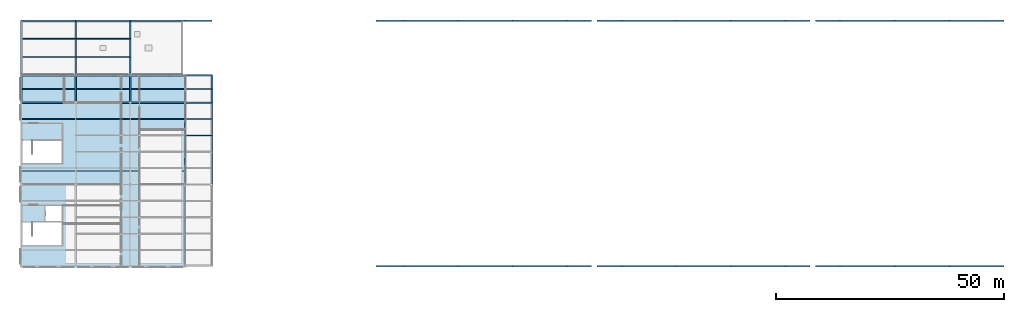
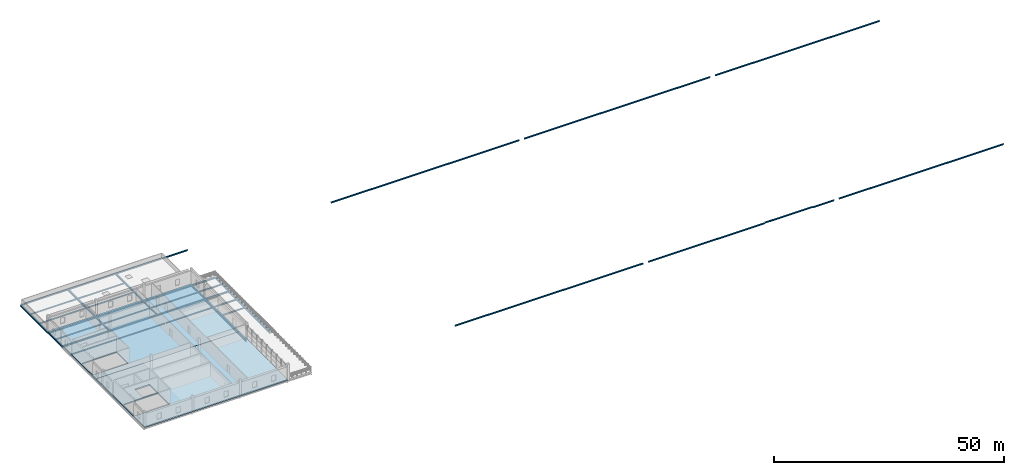
# One storey, part 7 of 11: 63 beams, 2 slabs.
"""IFC4 building model written with IfcOpenShell, lengths in metres."""

import ifcopenshell
import ifcopenshell.guid

model = None  # the IFC model being written
_history = None  # IfcOwnerHistory: only IFC2X3 demands one
_inside = {}  # id of a spatial element -> (the spatial element, [elements in it])
_under = {}  # id of a project, library or spatial element -> (it, [spatial elements below it])
_declared = {}  # id of a project -> (the project, [libraries it declares])
_typed = {}  # id of a type object -> (the type object, [elements of that type])
_made_of = {}  # id of a material, layer set ... -> (it, [elements and type objects made of it])


def new_model(schema):
    """Start an empty IFC model of exactly this schema.

    Asked for "IFC4X3", IfcOpenShell would pick the latest addendum, in which some entities
    have other attributes; the version numbers below select the first issue.
    IFC2X3 requires an IfcOwnerHistory on every rooted entity: one is made here for all.
    """
    global model, _history
    if schema == "IFC4X3":
        model = ifcopenshell.file(schema_version=(4, 3, 0, 0))
    else:
        model = ifcopenshell.file(schema=schema)
    _inside.clear()
    _under.clear()
    _declared.clear()
    _typed.clear()
    _made_of.clear()
    _history = None
    if model.schema == "IFC2X3":
        org = make("IfcOrganization", Name="unknown")
        user = make(
            "IfcPersonAndOrganization",
            ThePerson=make("IfcPerson", FamilyName="unknown"),
            TheOrganization=org,
        )
        app = make(
            "IfcApplication",
            ApplicationDeveloper=org,
            Version="unknown",
            ApplicationFullName="unknown",
            ApplicationIdentifier="unknown",
        )
        _history = make(
            "IfcOwnerHistory",
            OwningUser=user,
            OwningApplication=app,
            ChangeAction="ADDED",
            CreationDate=0,
        )
    return model


def make(cls, **values):
    """One entity of the class cls with the attributes given. An attribute that is None is left unset."""
    return model.create_entity(
        cls, **{name: value for name, value in values.items() if value is not None}
    )


def rooted(cls, **values):
    """An entity with a GlobalId (a new one), such as an element, a storey or a relation."""
    return make(cls, GlobalId=ifcopenshell.guid.new(), OwnerHistory=_history, **values)


def si_unit(unit_type, name, prefix=None):
    """IfcSIUnit, for example si_unit("LENGTHUNIT", "METRE", prefix="MILLI")."""
    return make("IfcSIUnit", UnitType=unit_type, Prefix=prefix, Name=name)


def assignment(units):
    """IfcUnitAssignment: the units of a project."""
    return None if units is None else make("IfcUnitAssignment", Units=units)


def point(xyz):
    """IfcCartesianPoint."""
    return None if xyz is None else make("IfcCartesianPoint", Coordinates=xyz)


def direction(xyz):
    """IfcDirection."""
    return None if xyz is None else make("IfcDirection", DirectionRatios=xyz)


def frame(location, z_axis=None, x_axis=None):
    """IfcAxis2Placement3D, a coordinate frame: its origin and axes. An axis left out is left unset."""
    return make(
        "IfcAxis2Placement3D",
        Location=point(location),
        Axis=direction(z_axis),
        RefDirection=direction(x_axis),
    )


def frame_2d(location, x_axis=None):
    """IfcAxis2Placement2D, a coordinate frame in the plane: its origin and x axis."""
    return make(
        "IfcAxis2Placement2D", Location=point(location), RefDirection=direction(x_axis)
    )


def origin():
    """The frame at (0, 0, 0) with its axes left unset."""
    return frame((0.0, 0.0, 0.0))


def origin_2d():
    """The frame at (0, 0) in the plane with its x axis left unset."""
    return frame_2d((0.0, 0.0))


def place(relative_to, where):
    """IfcLocalPlacement: puts the frame where relative to a parent placement (None: the world)."""
    return make(
        "IfcLocalPlacement", PlacementRelTo=relative_to, RelativePlacement=where
    )


def context(
    kind, dimensions, precision=None, world=None, true_north=None, identifier=None
):
    """IfcGeometricRepresentationContext, for example the 3D "Model" context."""
    return make(
        "IfcGeometricRepresentationContext",
        ContextIdentifier=identifier,
        ContextType=kind,
        CoordinateSpaceDimension=dimensions,
        Precision=precision,
        WorldCoordinateSystem=world,
        TrueNorth=true_north,
    )


def subcontext(parent, identifier, kind, view, scale=None):
    """IfcGeometricRepresentationSubContext, for example "Body" below "Model"."""
    return make(
        "IfcGeometricRepresentationSubContext",
        ContextIdentifier=identifier,
        ContextType=kind,
        ParentContext=parent,
        TargetScale=scale,
        TargetView=view,
    )


def project(units=None, contexts=None):
    """IfcProject with its units and contexts."""
    return rooted(
        "IfcProject",
        Name="project",
        RepresentationContexts=contexts,
        UnitsInContext=assignment(units),
    )


def spatial(cls, under=None, at=None, **own):
    """A site, building, storey or space (cls), placed at a placement, below another one or the project."""
    s = rooted(cls, ObjectPlacement=at, **own)
    if under is not None:
        _under.setdefault(under.id(), (under, []))[1].append(s)
    return s


def polyline(points):
    """IfcPolyline through the points."""
    return make("IfcPolyline", Points=[point(p) for p in points])


def profile(cls, at=None, kind="AREA", **sizes):
    """A parametric profile (cls). Its sizes go by their IFC names, for example OverallWidth=200.0."""
    return make(cls, ProfileType=kind, Position=at, **sizes)


def i_section(**sizes):
    """IfcIShapeProfileDef."""
    return profile("IfcIShapeProfileDef", **sizes)


def outline(outer, holes=None, kind="AREA"):
    """IfcArbitraryClosedProfileDef: a profile drawn as a closed curve; with holes, ...WithVoids."""
    if holes is None:
        return make("IfcArbitraryClosedProfileDef", ProfileType=kind, OuterCurve=outer)
    return make(
        "IfcArbitraryProfileDefWithVoids",
        ProfileType=kind,
        OuterCurve=outer,
        InnerCurves=holes,
    )


def extrude(swept, where, along, depth):
    """IfcExtrudedAreaSolid: the profile swept, set in the frame where, extruded along a direction by depth."""
    return make(
        "IfcExtrudedAreaSolid",
        SweptArea=swept,
        Position=where,
        ExtrudedDirection=direction(along),
        Depth=depth,
    )


def shape(context_of_items, identifier, shape_type, items):
    """IfcShapeRepresentation: the items that make up one representation, for example the "Body"."""
    return make(
        "IfcShapeRepresentation",
        ContextOfItems=context_of_items,
        RepresentationIdentifier=identifier,
        RepresentationType=shape_type,
        Items=items,
    )


def material(Name=None, Category=None):
    """IfcMaterial."""
    return make("IfcMaterial", Name=Name, Category=Category)


def layer(
    of_material, thickness, ventilated=None, Name=None, Category=None, Priority=None
):
    """IfcMaterialLayer: one layer of a wall or slab, of a material (None: an air gap)."""
    return make(
        "IfcMaterialLayer",
        Material=of_material,
        LayerThickness=thickness,
        IsVentilated=ventilated,
        Name=Name,
        Category=Category,
        Priority=Priority,
    )


def layer_set(layers, Name=None):
    """IfcMaterialLayerSet."""
    return make("IfcMaterialLayerSet", MaterialLayers=layers, LayerSetName=Name)


def material_profile(
    of_material, cross_section, Name=None, Category=None, Priority=None
):
    """IfcMaterialProfile: a cross section and its material."""
    return make(
        "IfcMaterialProfile",
        Name=Name,
        Material=of_material,
        Profile=cross_section,
        Priority=Priority,
        Category=Category,
    )


def profile_set(profiles, Name=None, composite=None):
    """IfcMaterialProfileSet."""
    return make(
        "IfcMaterialProfileSet",
        Name=Name,
        MaterialProfiles=profiles,
        CompositeProfile=composite,
    )


def made_of(thing, what):
    """Note that an element or type object is made of a material, layer set ...; save() writes the relation."""
    if what is not None:
        _made_of.setdefault(what.id(), (what, []))[1].append(thing)
    return thing


def type_object(cls, material=None, **own):
    """A type object (cls), such as IfcWallType, which elements share."""
    return made_of(rooted(cls, **own), material)


def element(
    cls,
    number,
    at=None,
    inside=None,
    cuts=None,
    type_object=None,
    material=None,
    context=None,
    identifier="Body",
    shape_type=None,
    held_by="IfcProductDefinitionShape",
    body=None,
    shapes=None,
    **own,
):
    """One element of the class cls, such as IfcWall. Its Tag is "e" and its number.

    at: its placement. inside: the storey or other place that contains it. cuts: it is an
    opening in that element (IfcRelVoidsElement). A single representation is given by context,
    identifier, shape_type and body (its items); several are given by shapes. held_by: the class
    of the entity that holds the representations. save() writes the other relations.
    """
    e = rooted(cls, Tag="e%d" % number, ObjectPlacement=at, **own)
    if body is not None:
        shapes = [shape(context, identifier, shape_type, body)]
    if shapes is not None:
        e.Representation = make(held_by, Representations=shapes)
    if inside is not None:
        _inside.setdefault(inside.id(), (inside, []))[1].append(e)
    if cuts is not None:
        rooted(
            "IfcRelVoidsElement", RelatingBuildingElement=cuts, RelatedOpeningElement=e
        )
    if type_object is not None:
        _typed.setdefault(type_object.id(), (type_object, []))[1].append(e)
    return made_of(e, material)


def aggregate(whole, parts):
    """IfcRelAggregates: a whole, such as a stair, and the parts it consists of."""
    return rooted("IfcRelAggregates", RelatingObject=whole, RelatedObjects=parts)


def save(model, path):
    """Write the relations noted so far, then the file.

    IfcRelAggregates (storeys below a building ...), IfcRelContainedInSpatialStructure (elements
    in a storey), IfcRelDefinesByType, IfcRelAssociatesMaterial and IfcRelDeclares: one each for
    every whole, place, type object, material and project.
    """
    for whole, parts in _under.values():
        aggregate(whole, parts)
    for where, things in _inside.values():
        rooted(
            "IfcRelContainedInSpatialStructure",
            RelatedElements=things,
            RelatingStructure=where,
        )
    for kind, things in _typed.values():
        rooted("IfcRelDefinesByType", RelatedObjects=things, RelatingType=kind)
    for what, things in _made_of.values():
        rooted("IfcRelAssociatesMaterial", RelatedObjects=things, RelatingMaterial=what)
    for by, libraries in _declared.values():
        rooted("IfcRelDeclares", RelatingContext=by, RelatedDefinitions=libraries)
    model.write(path)


model = new_model("IFC4")

# Units and contexts
model_context = context("Model", 3, precision=1e-05, world=origin(), true_north=direction((0.0, 1.0)))
body_context = subcontext(model_context, "Body", "Model", "MODEL_VIEW")
ifc_project = project(units=[si_unit("LENGTHUNIT", "METRE"), si_unit("AREAUNIT", "SQUARE_METRE"), si_unit("VOLUMEUNIT", "CUBIC_METRE"), si_unit("PLANEANGLEUNIT", "RADIAN"), si_unit("MASSUNIT", "GRAM", prefix="KILO")], contexts=[model_context])

# Site, building, storey
site_placement = place(None, origin())
site = spatial("IfcSite", under=ifc_project, at=site_placement, CompositionType="ELEMENT")
building_placement = place(site_placement, origin())
building = spatial("IfcBuilding", under=site, at=building_placement, Name="Zilviju Railside Exhibition Hall", CompositionType="ELEMENT")
storey_placement = place(building_placement, frame((0.0, 0.0, 16.800048828125)))
storey = spatial("IfcBuildingStorey", under=building, at=storey_placement, Name="L05", CompositionType="ELEMENT", Elevation=16.800048828125)

# Beams
ifc_material_1 = material(Name="Steel S355J2", Category="steel")
ifc_material_profile_1 = material_profile(ifc_material_1, i_section(OverallWidth=0.300048828125, OverallDepth=0.2900390625, WebThickness=0.008544921875, FlangeThickness=0.013916015625, at=origin_2d()), Name="HEA 300")
ifc_profile_set_1 = profile_set([ifc_material_profile_1], Name="Steel S355J2")
beam_type_1 = type_object("IfcBeamType", Name="BM-HEA300", PredefinedType="SPANDREL", material=ifc_profile_set_1)
beam_1_placement = place(storey_placement, frame((78.0, 84.0, -0.485107421875), z_axis=(1.0, 0.0, 0.0), x_axis=(0.0, 1.0, 0.0)))
element("IfcBeam", 1, at=beam_1_placement, inside=storey, type_object=beam_type_1, Name="Primary Girder L05 Y=84.0 (78.0..84.0)", PredefinedType="SPANDREL", context=body_context, shape_type="SweptSolid", body=[
    extrude(i_section(OverallWidth=0.300048828125, OverallDepth=0.2900390625, WebThickness=0.008544921875, FlangeThickness=0.013916015625, at=origin_2d()), origin(), (0.0, 0.0, 1.0), 6.0),
])
for number, where, z_axis, x_axis, name in (
    (2, (84.0, 84.0, -0.485107421875), (1.0, 0.0, 0.0), (0.0, 1.0, 0.0), "Primary Girder L05 Y=84.0 (84.0..96.0)"),
    (3, (96.0, 84.0, -0.485107421875), (1.0, 0.0, 0.0), (0.0, 1.0, 0.0), "Primary Girder L05 Y=84.0 (96.0..108.0)"),
    (4, (108.0, 84.0, -0.485107421875), (1.0, 0.0, 0.0), (0.0, 1.0, 0.0), "Primary Girder L05 Y=84.0 (108.0..120.0)"),
):
    element("IfcBeam", number, at=place(storey_placement, frame(where, z_axis=z_axis, x_axis=x_axis)), inside=storey, type_object=beam_type_1, Name=name, PredefinedType="SPANDREL", context=body_context, shape_type="SweptSolid", body=[
        extrude(i_section(OverallWidth=0.300048828125, OverallDepth=0.2900390625, WebThickness=0.008544921875, FlangeThickness=0.013916015625, at=origin_2d()), origin(), (0.0, 0.0, 1.0), 12.0),
    ])
for number, where, z_axis, x_axis, name in (
    (5, (120.0, 84.0, -0.485107421875), (1.0, 0.0, 0.0), (0.0, 1.0, 0.0), "Primary Girder L05 Y=84.0 (120.0..125.4)"),
    (6, (126.60009765625, 84.0, -0.485107421875), (1.0, 0.0, 0.0), (0.0, 1.0, 0.0), "Primary Girder L05 Y=84.0 (126.6..132.0)"),
):
    element("IfcBeam", number, at=place(storey_placement, frame(where, z_axis=z_axis, x_axis=x_axis)), inside=storey, type_object=beam_type_1, Name=name, PredefinedType="SPANDREL", context=body_context, shape_type="SweptSolid", body=[
        extrude(i_section(OverallWidth=0.300048828125, OverallDepth=0.2900390625, WebThickness=0.008544921875, FlangeThickness=0.013916015625, at=origin_2d()), origin(), (0.0, 0.0, 1.0), 5.39990234375),
    ])
for number, where, z_axis, x_axis, name in (
    (7, (132.0, 84.0, -0.485107421875), (1.0, 0.0, 0.0), (0.0, 1.0, 0.0), "Primary Girder L05 Y=84.0 (132.0..144.0)"),
    (8, (144.0, 84.0, -0.485107421875), (1.0, 0.0, 0.0), (0.0, 1.0, 0.0), "Primary Girder L05 Y=84.0 (144.0..156.0)"),
    (9, (156.0, 84.0, -0.364990234375), (1.0, 0.0, 0.0), (0.0, 1.0, 0.0), "Primary Girder L05 Y=84.0 (156.0..168.0)"),
):
    element("IfcBeam", number, at=place(storey_placement, frame(where, z_axis=z_axis, x_axis=x_axis)), inside=storey, type_object=beam_type_1, Name=name, PredefinedType="SPANDREL", context=body_context, shape_type="SweptSolid", body=[
        extrude(i_section(OverallWidth=0.300048828125, OverallDepth=0.2900390625, WebThickness=0.008544921875, FlangeThickness=0.013916015625, at=origin_2d()), origin(), (0.0, 0.0, 1.0), 12.0),
    ])
for number, where, z_axis, x_axis, name in (
    (10, (168.0, 84.0, -0.485107421875), (1.0, 0.0, 0.0), (0.0, 1.0, 0.0), "Primary Girder L05 Y=84.0 (168.0..173.4)"),
    (11, (174.60009765625, 84.0, -0.485107421875), (1.0, 0.0, 0.0), (0.0, 1.0, 0.0), "Primary Girder L05 Y=84.0 (174.6..180.0)"),
):
    element("IfcBeam", number, at=place(storey_placement, frame(where, z_axis=z_axis, x_axis=x_axis)), inside=storey, type_object=beam_type_1, Name=name, PredefinedType="SPANDREL", context=body_context, shape_type="SweptSolid", body=[
        extrude(i_section(OverallWidth=0.300048828125, OverallDepth=0.2900390625, WebThickness=0.008544921875, FlangeThickness=0.013916015625, at=origin_2d()), origin(), (0.0, 0.0, 1.0), 5.39990234375),
    ])
for number, where, z_axis, x_axis, name in (
    (12, (180.0, 84.0, -0.485107421875), (1.0, 0.0, 0.0), (0.0, 1.0, 0.0), "Primary Girder L05 Y=84.0 (180.0..192.0)"),
    (13, (192.0, 84.0, -0.485107421875), (1.0, 0.0, 0.0), (0.0, 1.0, 0.0), "Primary Girder L05 Y=84.0 (192.0..204.0)"),
    (14, (204.0, 84.0, -0.485107421875), (1.0, 0.0, 0.0), (0.0, 1.0, 0.0), "Primary Girder L05 Y=84.0 (204.0..216.0)"),
    (15, (0.0, 138.0, -0.445068359375), (1.0, 0.0, 0.0), (0.0, 1.0, 0.0), "Primary Girder L05 Y=138.0 (0.0..12.0)"),
    (16, (12.0, 138.0, -0.445068359375), (1.0, 0.0, 0.0), (0.0, 1.0, 0.0), "Primary Girder L05 Y=138.0 (12.0..24.0)"),
    (17, (24.0, 138.0, -0.445068359375), (1.0, 0.0, 0.0), (0.0, 1.0, 0.0), "Primary Girder L05 Y=138.0 (24.0..36.0)"),
):
    element("IfcBeam", number, at=place(storey_placement, frame(where, z_axis=z_axis, x_axis=x_axis)), inside=storey, type_object=beam_type_1, Name=name, PredefinedType="SPANDREL", context=body_context, shape_type="SweptSolid", body=[
        extrude(i_section(OverallWidth=0.300048828125, OverallDepth=0.2900390625, WebThickness=0.008544921875, FlangeThickness=0.013916015625, at=origin_2d()), origin(), (0.0, 0.0, 1.0), 12.0),
    ])
for number, where, z_axis, x_axis, name in (
    (18, (36.0, 138.0, -0.485107421875), (1.0, 0.0, 0.0), (0.0, 1.0, 0.0), "Primary Girder L05 Y=138.0 (36.0..42.0)"),
    (19, (78.0, 138.0, -0.485107421875), (1.0, 0.0, 0.0), (0.0, 1.0, 0.0), "Primary Girder L05 Y=138.0 (78.0..84.0)"),
):
    element("IfcBeam", number, at=place(storey_placement, frame(where, z_axis=z_axis, x_axis=x_axis)), inside=storey, type_object=beam_type_1, Name=name, PredefinedType="SPANDREL", context=body_context, shape_type="SweptSolid", body=[
        extrude(i_section(OverallWidth=0.300048828125, OverallDepth=0.2900390625, WebThickness=0.008544921875, FlangeThickness=0.013916015625, at=origin_2d()), origin(), (0.0, 0.0, 1.0), 6.0),
    ])
for number, where, z_axis, x_axis, name in (
    (20, (84.0, 138.0, -0.485107421875), (1.0, 0.0, 0.0), (0.0, 1.0, 0.0), "Primary Girder L05 Y=138.0 (84.0..96.0)"),
    (21, (96.0, 138.0, -0.485107421875), (1.0, 0.0, 0.0), (0.0, 1.0, 0.0), "Primary Girder L05 Y=138.0 (96.0..108.0)"),
    (22, (108.0, 138.0, -0.485107421875), (1.0, 0.0, 0.0), (0.0, 1.0, 0.0), "Primary Girder L05 Y=138.0 (108.0..120.0)"),
):
    element("IfcBeam", number, at=place(storey_placement, frame(where, z_axis=z_axis, x_axis=x_axis)), inside=storey, type_object=beam_type_1, Name=name, PredefinedType="SPANDREL", context=body_context, shape_type="SweptSolid", body=[
        extrude(i_section(OverallWidth=0.300048828125, OverallDepth=0.2900390625, WebThickness=0.008544921875, FlangeThickness=0.013916015625, at=origin_2d()), origin(), (0.0, 0.0, 1.0), 12.0),
    ])
for number, where, z_axis, x_axis, name in (
    (23, (120.0, 138.0, -0.485107421875), (1.0, 0.0, 0.0), (0.0, 1.0, 0.0), "Primary Girder L05 Y=138.0 (120.0..125.4)"),
    (24, (126.60009765625, 138.0, -0.485107421875), (1.0, 0.0, 0.0), (0.0, 1.0, 0.0), "Primary Girder L05 Y=138.0 (126.6..132.0)"),
):
    element("IfcBeam", number, at=place(storey_placement, frame(where, z_axis=z_axis, x_axis=x_axis)), inside=storey, type_object=beam_type_1, Name=name, PredefinedType="SPANDREL", context=body_context, shape_type="SweptSolid", body=[
        extrude(i_section(OverallWidth=0.300048828125, OverallDepth=0.2900390625, WebThickness=0.008544921875, FlangeThickness=0.013916015625, at=origin_2d()), origin(), (0.0, 0.0, 1.0), 5.39990234375),
    ])
for number, where, z_axis, x_axis, name in (
    (25, (132.0, 138.0, -0.485107421875), (1.0, 0.0, 0.0), (0.0, 1.0, 0.0), "Primary Girder L05 Y=138.0 (132.0..144.0)"),
    (26, (144.0, 138.0, -0.485107421875), (1.0, 0.0, 0.0), (0.0, 1.0, 0.0), "Primary Girder L05 Y=138.0 (144.0..156.0)"),
    (27, (156.0, 138.0, -0.485107421875), (1.0, 0.0, 0.0), (0.0, 1.0, 0.0), "Primary Girder L05 Y=138.0 (156.0..168.0)"),
):
    element("IfcBeam", number, at=place(storey_placement, frame(where, z_axis=z_axis, x_axis=x_axis)), inside=storey, type_object=beam_type_1, Name=name, PredefinedType="SPANDREL", context=body_context, shape_type="SweptSolid", body=[
        extrude(i_section(OverallWidth=0.300048828125, OverallDepth=0.2900390625, WebThickness=0.008544921875, FlangeThickness=0.013916015625, at=origin_2d()), origin(), (0.0, 0.0, 1.0), 12.0),
    ])
for number, where, z_axis, x_axis, name in (
    (28, (168.0, 138.0, -0.485107421875), (1.0, 0.0, 0.0), (0.0, 1.0, 0.0), "Primary Girder L05 Y=138.0 (168.0..173.4)"),
    (29, (174.60009765625, 138.0, -0.485107421875), (1.0, 0.0, 0.0), (0.0, 1.0, 0.0), "Primary Girder L05 Y=138.0 (174.6..180.0)"),
):
    element("IfcBeam", number, at=place(storey_placement, frame(where, z_axis=z_axis, x_axis=x_axis)), inside=storey, type_object=beam_type_1, Name=name, PredefinedType="SPANDREL", context=body_context, shape_type="SweptSolid", body=[
        extrude(i_section(OverallWidth=0.300048828125, OverallDepth=0.2900390625, WebThickness=0.008544921875, FlangeThickness=0.013916015625, at=origin_2d()), origin(), (0.0, 0.0, 1.0), 5.39990234375),
    ])
for number, where, z_axis, x_axis, name in (
    (30, (180.0, 138.0, -0.485107421875), (1.0, 0.0, 0.0), (0.0, 1.0, 0.0), "Primary Girder L05 Y=138.0 (180.0..192.0)"),
    (31, (192.0, 138.0, -0.485107421875), (1.0, 0.0, 0.0), (0.0, 1.0, 0.0), "Primary Girder L05 Y=138.0 (192.0..204.0)"),
    (32, (204.0, 138.0, -0.485107421875), (1.0, 0.0, 0.0), (0.0, 1.0, 0.0), "Primary Girder L05 Y=138.0 (204.0..216.0)"),
):
    element("IfcBeam", number, at=place(storey_placement, frame(where, z_axis=z_axis, x_axis=x_axis)), inside=storey, type_object=beam_type_1, Name=name, PredefinedType="SPANDREL", context=body_context, shape_type="SweptSolid", body=[
        extrude(i_section(OverallWidth=0.300048828125, OverallDepth=0.2900390625, WebThickness=0.008544921875, FlangeThickness=0.013916015625, at=origin_2d()), origin(), (0.0, 0.0, 1.0), 12.0),
    ])
beam_2_placement = place(storey_placement, frame((0.0, 120.0, -0.465087890625), z_axis=(0.0, 1.0, 0.0), x_axis=(-1.0, 0.0, 0.0)))
element("IfcBeam", 33, at=beam_2_placement, inside=storey, type_object=beam_type_1, Name="Transverse Girder L05 X=0.0 (120.0..126.0)", PredefinedType="SPANDREL", context=body_context, shape_type="SweptSolid", body=[
    extrude(i_section(OverallWidth=0.300048828125, OverallDepth=0.2900390625, WebThickness=0.008544921875, FlangeThickness=0.013916015625, at=origin_2d()), origin(), (0.0, 0.0, 1.0), 6.0),
])
ifc_material_profile_2 = material_profile(ifc_material_1, i_section(OverallWidth=0.300048828125, OverallDepth=0.35009765625, WebThickness=0.010009765625, FlangeThickness=0.017578125, at=origin_2d()), Name="HEA 360")
ifc_profile_set_2 = profile_set([ifc_material_profile_2], Name="Steel S355J2")
beam_type_2 = type_object("IfcBeamType", Name="BM-HEA360", PredefinedType="BEAM", material=ifc_profile_set_2)
beam_3_placement = place(storey_placement, frame((0.0, 126.0, -0.4951171875), z_axis=(0.0, 1.0, 0.0), x_axis=(-1.0, 0.0, 0.0)))
element("IfcBeam", 34, at=beam_3_placement, inside=storey, type_object=beam_type_2, Name="Transverse Girder L05 X=0.0 (126.0..138.0)", PredefinedType="BEAM", context=body_context, shape_type="SweptSolid", body=[
    extrude(i_section(OverallWidth=0.300048828125, OverallDepth=0.35009765625, WebThickness=0.010009765625, FlangeThickness=0.017578125, at=origin_2d()), origin(), (0.0, 0.0, 1.0), 12.0),
])
ifc_material_profile_3 = material_profile(ifc_material_1, i_section(OverallWidth=0.300048828125, OverallDepth=0.43994140625, WebThickness=0.011474609375, FlangeThickness=0.02099609375, at=origin_2d()), Name="HEA 450")
ifc_profile_set_3 = profile_set([ifc_material_profile_3], Name="Steel S355J2")
beam_type_3 = type_object("IfcBeamType", Name="BM-HEA450", PredefinedType="BEAM", material=ifc_profile_set_3)
for number, where, z_axis, x_axis, name in (
    (35, (0.0, 120.0, -0.5400390625), (1.0, 0.0, 0.0), (0.0, 1.0, 0.0), "Primary Girder L05 Y=120.0 (0.0..12.0)"),
    (36, (12.0, 120.0, -0.5400390625), (1.0, 0.0, 0.0), (0.0, 1.0, 0.0), "Primary Girder L05 Y=120.0 (12.0..24.0)"),
    (37, (24.0, 120.0, -0.5400390625), (1.0, 0.0, 0.0), (0.0, 1.0, 0.0), "Primary Girder L05 Y=120.0 (24.0..36.0)"),
):
    element("IfcBeam", number, at=place(storey_placement, frame(where, z_axis=z_axis, x_axis=x_axis)), inside=storey, type_object=beam_type_3, Name=name, PredefinedType="BEAM", context=body_context, shape_type="SweptSolid", body=[
        extrude(i_section(OverallWidth=0.300048828125, OverallDepth=0.43994140625, WebThickness=0.011474609375, FlangeThickness=0.02099609375, at=origin_2d()), origin(), (0.0, 0.0, 1.0), 12.0),
    ])
beam_4_placement = place(storey_placement, frame((36.0, 120.0, -0.5400390625), z_axis=(1.0, 0.0, 0.0), x_axis=(0.0, 1.0, 0.0)))
element("IfcBeam", 38, at=beam_4_placement, inside=storey, type_object=beam_type_3, Name="Primary Girder L05 Y=120.0 (36.0..42.0)", PredefinedType="BEAM", context=body_context, shape_type="SweptSolid", body=[
    extrude(i_section(OverallWidth=0.300048828125, OverallDepth=0.43994140625, WebThickness=0.011474609375, FlangeThickness=0.02099609375, at=origin_2d()), origin(), (0.0, 0.0, 1.0), 6.0),
])
for number, where, z_axis, x_axis, name in (
    (39, (0.0, 126.0, -0.5400390625), (1.0, 0.0, 0.0), (0.0, 1.0, 0.0), "Primary Girder L05 Y=126.0 (0.0..12.0)"),
    (40, (12.0, 126.0, -0.5400390625), (1.0, 0.0, 0.0), (0.0, 1.0, 0.0), "Primary Girder L05 Y=126.0 (12.0..24.0)"),
    (41, (24.0, 126.0, -0.5400390625), (1.0, 0.0, 0.0), (0.0, 1.0, 0.0), "Primary Girder L05 Y=126.0 (24.0..36.0)"),
):
    element("IfcBeam", number, at=place(storey_placement, frame(where, z_axis=z_axis, x_axis=x_axis)), inside=storey, type_object=beam_type_3, Name=name, PredefinedType="BEAM", context=body_context, shape_type="SweptSolid", body=[
        extrude(i_section(OverallWidth=0.300048828125, OverallDepth=0.43994140625, WebThickness=0.011474609375, FlangeThickness=0.02099609375, at=origin_2d()), origin(), (0.0, 0.0, 1.0), 12.0),
    ])
beam_5_placement = place(storey_placement, frame((36.0, 126.0, -0.5400390625), z_axis=(1.0, 0.0, 0.0), x_axis=(0.0, 1.0, 0.0)))
element("IfcBeam", 42, at=beam_5_placement, inside=storey, type_object=beam_type_3, Name="Primary Girder L05 Y=126.0 (36.0..42.0)", PredefinedType="BEAM", context=body_context, shape_type="SweptSolid", body=[
    extrude(i_section(OverallWidth=0.300048828125, OverallDepth=0.43994140625, WebThickness=0.011474609375, FlangeThickness=0.02099609375, at=origin_2d()), origin(), (0.0, 0.0, 1.0), 6.0),
])
ifc_material_profile_4 = material_profile(ifc_material_1, i_section(OverallWidth=0.300048828125, OverallDepth=0.360107421875, WebThickness=0.012451171875, FlangeThickness=0.0224609375, at=origin_2d()), Name="HEB 360")
ifc_profile_set_4 = profile_set([ifc_material_profile_4], Name="Steel S355J2")
beam_type_4 = type_object("IfcBeamType", Name="BM-HEB360", PredefinedType="BEAM", material=ifc_profile_set_4)
for number, where, z_axis, x_axis, name in (
    (43, (12.0, 120.0, -0.5), (0.0, 1.0, 0.0), (-1.0, 0.0, 0.0), "Transverse Girder L05 X=12.0 (120.0..126.0)"),
    (44, (24.0, 120.0, -0.5), (0.0, 1.0, 0.0), (-1.0, 0.0, 0.0), "Transverse Girder L05 X=24.0 (120.0..126.0)"),
    (45, (36.0, 120.0, -0.5), (0.0, 1.0, 0.0), (-1.0, 0.0, 0.0), "Transverse Girder L05 X=36.0 (120.0..126.0)"),
    (46, (42.0, 120.0, -0.47998046875), (0.0, 1.0, 0.0), (-1.0, 0.0, 0.0), "Transverse Girder L05 X=42.0 (120.0..126.0)"),
):
    element("IfcBeam", number, at=place(storey_placement, frame(where, z_axis=z_axis, x_axis=x_axis)), inside=storey, type_object=beam_type_4, Name=name, PredefinedType="BEAM", context=body_context, shape_type="SweptSolid", body=[
        extrude(i_section(OverallWidth=0.300048828125, OverallDepth=0.360107421875, WebThickness=0.012451171875, FlangeThickness=0.0224609375, at=origin_2d()), origin(), (0.0, 0.0, 1.0), 6.0),
    ])
ifc_material_profile_5 = material_profile(ifc_material_1, i_section(OverallWidth=0.300048828125, OverallDepth=0.449951171875, WebThickness=0.013916015625, FlangeThickness=0.02587890625, at=origin_2d()), Name="HEB 450")
ifc_profile_set_5 = profile_set([ifc_material_profile_5], Name="Steel S355J2")
beam_type_5 = type_object("IfcBeamType", Name="BM-HEB450", PredefinedType="BEAM", material=ifc_profile_set_5)
for number, where, z_axis, x_axis, name in (
    (47, (12.0, 126.0, -0.545166015625), (0.0, 1.0, 0.0), (-1.0, 0.0, 0.0), "Transverse Girder L05 X=12.0 (126.0..138.0)"),
    (48, (24.0, 126.0, -0.545166015625), (0.0, 1.0, 0.0), (-1.0, 0.0, 0.0), "Transverse Girder L05 X=24.0 (126.0..138.0)"),
):
    element("IfcBeam", number, at=place(storey_placement, frame(where, z_axis=z_axis, x_axis=x_axis)), inside=storey, type_object=beam_type_5, Name=name, PredefinedType="BEAM", context=body_context, shape_type="SweptSolid", body=[
        extrude(i_section(OverallWidth=0.300048828125, OverallDepth=0.449951171875, WebThickness=0.013916015625, FlangeThickness=0.02587890625, at=origin_2d()), origin(), (0.0, 0.0, 1.0), 12.0),
    ])
ifc_material_profile_6 = material_profile(ifc_material_1, i_section(OverallWidth=0.300048828125, OverallDepth=0.60009765625, WebThickness=0.015380859375, FlangeThickness=0.030029296875, at=origin_2d()), Name="HEB 600")
ifc_profile_set_6 = profile_set([ifc_material_profile_6], Name="Steel S355J2")
beam_type_6 = type_object("IfcBeamType", Name="BM-HEB600", PredefinedType="BEAM", material=ifc_profile_set_6)
for number, where, z_axis, x_axis, name in (
    (49, (36.0, 102.0, -0.6201171875), (0.0, 1.0, 0.0), (-1.0, 0.0, 0.0), "Transverse Girder L05 X=36.0 (102.0..120.0)"),
    (50, (42.0, 102.0, -0.60009765625), (0.0, 1.0, 0.0), (-1.0, 0.0, 0.0), "Transverse Girder L05 X=42.0 (102.0..120.0)"),
):
    element("IfcBeam", number, at=place(storey_placement, frame(where, z_axis=z_axis, x_axis=x_axis)), inside=storey, type_object=beam_type_6, Name=name, PredefinedType="BEAM", context=body_context, shape_type="SweptSolid", body=[
        extrude(i_section(OverallWidth=0.300048828125, OverallDepth=0.60009765625, WebThickness=0.015380859375, FlangeThickness=0.030029296875, at=origin_2d()), origin(), (0.0, 0.0, 1.0), 18.0),
    ])
ifc_material_profile_7 = material_profile(ifc_material_1, i_section(OverallWidth=0.14990234375, OverallDepth=0.300048828125, WebThickness=0.007080078125, FlangeThickness=0.0107421875, at=origin_2d()), Name="IPE 300")
ifc_profile_set_7 = profile_set([ifc_material_profile_7], Name="Steel S355J2")
beam_type_7 = type_object("IfcBeamType", Name="BM-IPE300", PredefinedType="JOIST", material=ifc_profile_set_7)
for number, where, z_axis, x_axis, name in (
    (51, (36.080078125, 112.800048828125, -0.469970703125), (1.0, 0.0, 0.0), (0.0, 1.0, 0.0), "Composite Floor Joist L05 Y=112.80 (36.0..42.0)"),
    (52, (36.080078125, 116.39990234375, -0.469970703125), (1.0, 0.0, 0.0), (0.0, 1.0, 0.0), "Composite Floor Joist L05 Y=116.40 (36.0..42.0)"),
    (53, (36.080078125, 123.0, -0.469970703125), (1.0, 0.0, 0.0), (0.0, 1.0, 0.0), "Composite Floor Joist L05 Y=123.00 (36.0..42.0)"),
):
    element("IfcBeam", number, at=place(storey_placement, frame(where, z_axis=z_axis, x_axis=x_axis)), inside=storey, type_object=beam_type_7, Name=name, PredefinedType="JOIST", context=body_context, shape_type="SweptSolid", body=[
        extrude(i_section(OverallWidth=0.14990234375, OverallDepth=0.300048828125, WebThickness=0.007080078125, FlangeThickness=0.0107421875, at=origin_2d()), origin(), (0.0, 0.0, 1.0), 5.83984375),
    ])
ifc_material_profile_8 = material_profile(ifc_material_1, i_section(OverallWidth=0.169921875, OverallDepth=0.360107421875, WebThickness=0.008056640625, FlangeThickness=0.0126953125, at=origin_2d()), Name="IPE 360")
ifc_profile_set_8 = profile_set([ifc_material_profile_8], Name="Steel S355J2")
beam_type_8 = type_object("IfcBeamType", Name="BM-IPE360", PredefinedType="JOIST", material=ifc_profile_set_8)
for number, where, z_axis, x_axis, name in (
    (54, (0.080078125, 116.39990234375, -0.5), (1.0, 0.0, 0.0), (0.0, 1.0, 0.0), "Composite Floor Joist L05 Y=116.40 (0.0..12.0)"),
    (55, (0.080078125, 123.0, -0.5), (1.0, 0.0, 0.0), (0.0, 1.0, 0.0), "Composite Floor Joist L05 Y=123.00 (0.0..12.0)"),
    (56, (0.080078125, 130.0, -0.5), (1.0, 0.0, 0.0), (0.0, 1.0, 0.0), "Composite Floor Joist L05 Y=130.00 (0.0..12.0)"),
    (57, (0.080078125, 134.0, -0.5), (1.0, 0.0, 0.0), (0.0, 1.0, 0.0), "Composite Floor Joist L05 Y=134.00 (0.0..12.0)"),
    (58, (12.080078125, 116.39990234375, -0.5), (1.0, 0.0, 0.0), (0.0, 1.0, 0.0), "Composite Floor Joist L05 Y=116.40 (12.0..24.0)"),
    (59, (12.080078125, 123.0, -0.5), (1.0, 0.0, 0.0), (0.0, 1.0, 0.0), "Composite Floor Joist L05 Y=123.00 (12.0..24.0)"),
    (60, (12.080078125, 130.0, -0.5), (1.0, 0.0, 0.0), (0.0, 1.0, 0.0), "Composite Floor Joist L05 Y=130.00 (12.0..24.0)"),
    (61, (12.080078125, 134.0, -0.5), (1.0, 0.0, 0.0), (0.0, 1.0, 0.0), "Composite Floor Joist L05 Y=134.00 (12.0..24.0)"),
    (62, (24.080078125, 116.39990234375, -0.5), (1.0, 0.0, 0.0), (0.0, 1.0, 0.0), "Composite Floor Joist L05 Y=116.40 (24.0..36.0)"),
    (63, (24.080078125, 123.0, -0.5), (1.0, 0.0, 0.0), (0.0, 1.0, 0.0), "Composite Floor Joist L05 Y=123.00 (24.0..36.0)"),
):
    element("IfcBeam", number, at=place(storey_placement, frame(where, z_axis=z_axis, x_axis=x_axis)), inside=storey, type_object=beam_type_8, Name=name, PredefinedType="JOIST", context=body_context, shape_type="SweptSolid", body=[
        extrude(i_section(OverallWidth=0.169921875, OverallDepth=0.360107421875, WebThickness=0.008056640625, FlangeThickness=0.0126953125, at=origin_2d()), origin(), (0.0, 0.0, 1.0), 11.83984375),
    ])

# Slabs
ifc_material_2 = material(Name="Concrete C35/45", Category="concrete")
ifc_layer = layer(ifc_material_2, 0.320068359375)
ifc_layer_set = layer_set([ifc_layer], Name="Concrete C35/45")
slab_type = type_object("IfcSlabType", Name="SL-FLR-325", PredefinedType="FLOOR", material=ifc_layer_set)
slab_1_placement = place(storey_placement, frame((0.0, 0.0, -0.320068359375)))
element("IfcSlab", 64, at=slab_1_placement, inside=storey, type_object=slab_type, Name="Directorate Wing L05 South Floor Slab", PredefinedType="FLOOR", context=body_context, shape_type="SweptSolid", body=[
    extrude(outline(polyline([(0.0, 84.0), (36.0, 84.0), (36.0, 105.0), (0.0, 105.0), (0.0, 84.0)]), holes=[polyline([(0.25, 88.64990234375), (8.949951171875, 88.64990234375), (8.949951171875, 93.64990234375), (0.25, 93.64990234375), (0.25, 88.64990234375)]), polyline([(5.300048828125, 93.89990234375), (8.949951171875, 93.89990234375), (8.949951171875, 97.35009765625), (5.300048828125, 97.35009765625), (5.300048828125, 93.89990234375)])]), origin(), (0.0, 0.0, 1.0), 0.320068359375),
])
slab_2_placement = place(storey_placement, frame((0.0, 0.0, -0.320068359375)))
element("IfcSlab", 65, at=slab_2_placement, inside=storey, type_object=slab_type, Name="Directorate Wing L05 North Floor Slab", PredefinedType="FLOOR", context=body_context, shape_type="SweptSolid", body=[
    extrude(outline(polyline([(0.0, 105.0), (36.0, 105.0), (36.0, 126.0), (0.0, 126.0), (0.0, 105.0)]), holes=[polyline([(0.25, 106.64990234375), (8.949951171875, 106.64990234375), (8.949951171875, 111.64990234375), (0.25, 111.64990234375), (0.25, 106.64990234375)])]), origin(), (0.0, 0.0, 1.0), 0.320068359375),
])

save(model, "model.ifc")
